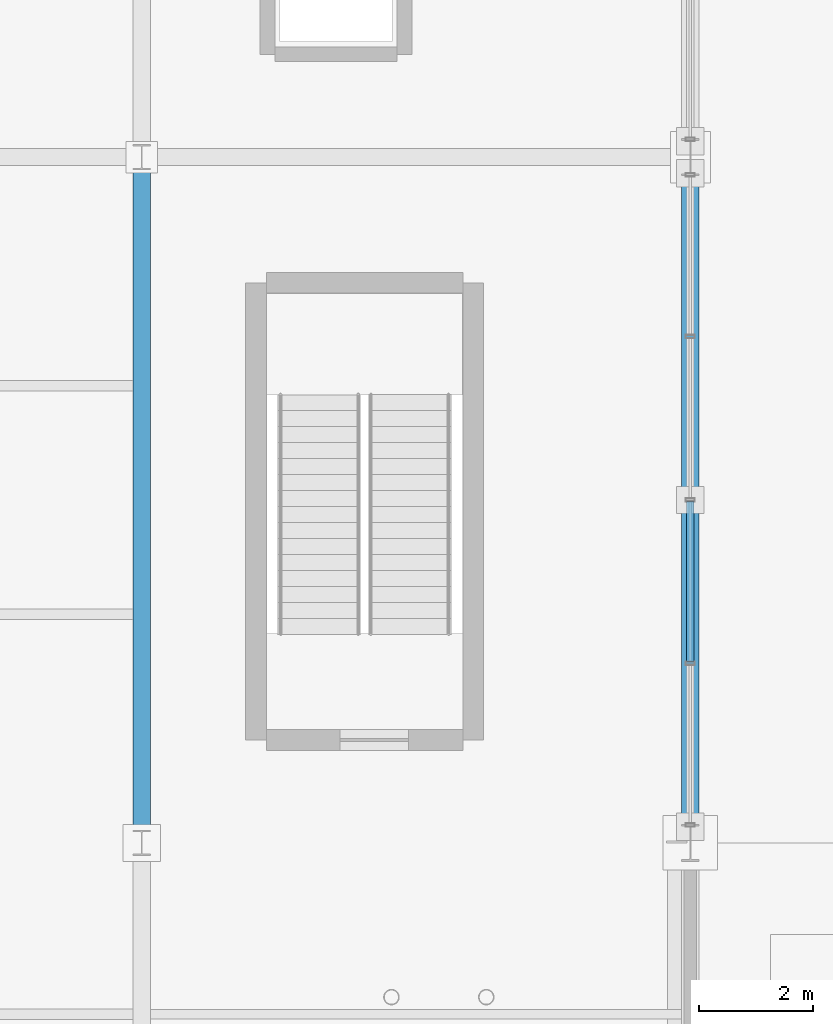
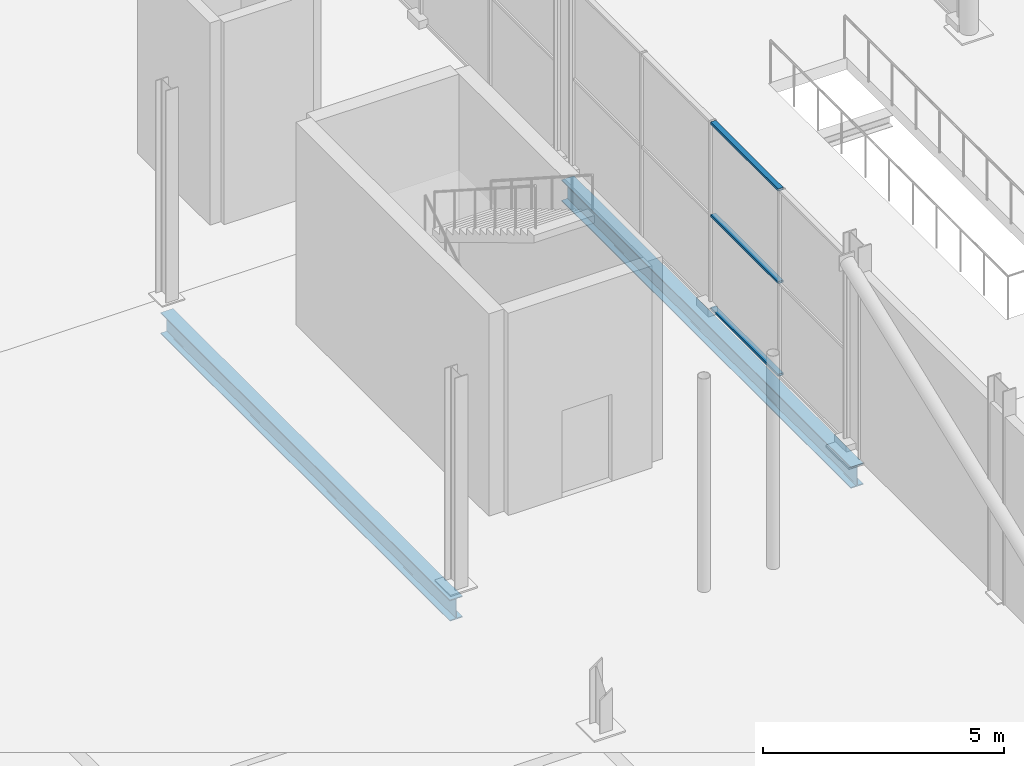
# One storey, part 57 of 196: 3 members, 2 beams, 1 element without a shape of its own.
"""IFC4 building model written with IfcOpenShell, lengths in metres."""

from ifc_helpers import new_model, si_unit, direction, frame, origin, origin_2d, place, context, subcontext, project, spatial, hollow_rectangle, i_section, extrude, material, material_profile, profile_set, type_object, element, aggregate, save


model = new_model("IFC4")

# Units and contexts
model_context = context("Model", 3, precision=1e-05, world=origin(), true_north=direction((0.0, 1.0)))
body_context = subcontext(model_context, "Body", "Model", "MODEL_VIEW")
ifc_project = project(units=[si_unit("LENGTHUNIT", "METRE"), si_unit("AREAUNIT", "SQUARE_METRE"), si_unit("VOLUMEUNIT", "CUBIC_METRE"), si_unit("PLANEANGLEUNIT", "RADIAN"), si_unit("MASSUNIT", "GRAM", prefix="KILO")], contexts=[model_context])

# Site, building, storey
site_placement = place(None, origin())
site = spatial("IfcSite", under=ifc_project, at=site_placement, CompositionType="ELEMENT")
building_placement = place(site_placement, origin())
building = spatial("IfcBuilding", under=site, at=building_placement, Name="Merenkruunu Market Hall", CompositionType="ELEMENT")
storey_placement = place(building_placement, origin())
storey = spatial("IfcBuildingStorey", under=building, at=storey_placement, Name="L00", CompositionType="ELEMENT", Elevation=0.0)

# Curtain wall, members
ifc_material_1 = material(Name="Powder-coated aluminium", Category="aluminium")
curtain_wall_type = type_object("IfcCurtainWallType", Name="Glazed Curtain Wall CW02", PredefinedType="USERDEFINED", material=ifc_material_1)
curtain_wall_placement = place(storey_placement, origin())
curtain_wall = element("IfcCurtainWall", 1, at=curtain_wall_placement, inside=storey, type_object=curtain_wall_type, Name="CW-L00-CWM01-127", ObjectType="GLAZED_FACADE", PredefinedType="USERDEFINED")
ifc_material_profile_1 = material_profile(ifc_material_1, hollow_rectangle(XDim=0.06005859375, YDim=0.125, WallThickness=0.00390625, at=origin_2d()), Name="ALU 60x125x4")
ifc_profile_set_1 = profile_set([ifc_material_profile_1], Name="Powder-coated aluminium")
member_type = type_object("IfcMemberType", Name="Curtain Wall Transom CWT01", PredefinedType="USERDEFINED", material=ifc_profile_set_1)
member_1_placement = place(storey_placement, frame((57.60009765625, 54.77001953125, 0.030029296875), z_axis=(0.0, 1.0, 0.0), x_axis=(0.0, 0.0, 1.0)))
member_1 = element("IfcMember", 2, at=member_1_placement, type_object=member_type, Name="CW02 transom 2.1", ObjectType="TRANSOM", PredefinedType="USERDEFINED", context=body_context, shape_type="SweptSolid", body=[
    extrude(hollow_rectangle(XDim=0.06005859375, YDim=0.125, WallThickness=0.00390625, at=origin_2d()), origin(), (0.0, 0.0, 1.0), 2.800048828125),
])
member_2_placement = place(storey_placement, frame((57.60009765625, 54.77001953125, 2.375), z_axis=(0.0, 1.0, 0.0), x_axis=(0.0, 0.0, 1.0)))
member_2 = element("IfcMember", 3, at=member_2_placement, type_object=member_type, Name="CW02 transom 2.2", ObjectType="TRANSOM", PredefinedType="USERDEFINED", context=body_context, shape_type="SweptSolid", body=[
    extrude(hollow_rectangle(XDim=0.06005859375, YDim=0.125, WallThickness=0.00390625, at=origin_2d()), origin(), (0.0, 0.0, 1.0), 2.800048828125),
])
member_3_placement = place(storey_placement, frame((57.60009765625, 54.77001953125, 4.719970703125), z_axis=(0.0, 1.0, 0.0), x_axis=(0.0, 0.0, 1.0)))
member_3 = element("IfcMember", 4, at=member_3_placement, type_object=member_type, Name="CW02 transom 2.3", ObjectType="TRANSOM", PredefinedType="USERDEFINED", context=body_context, shape_type="SweptSolid", body=[
    extrude(hollow_rectangle(XDim=0.06005859375, YDim=0.125, WallThickness=0.00390625, at=origin_2d()), origin(), (0.0, 0.0, 1.0), 2.800048828125),
])
aggregate(curtain_wall, [member_1, member_2, member_3])

# Beams
ifc_material_2 = material(Name="Steel S355J2", Category="steel")
ifc_material_profile_2 = material_profile(ifc_material_2, i_section(OverallWidth=0.300048828125, OverallDepth=0.5400390625, WebThickness=0.012451171875, FlangeThickness=0.02392578125, FilletRadius=0.027099609375, at=origin_2d()), Name="HEA 550")
ifc_profile_set_2 = profile_set([ifc_material_profile_2], Name="Steel S355J2")
beam_type = type_object("IfcBeamType", Name="Primary Floor Girder B06", PredefinedType="BEAM", material=ifc_profile_set_2)
for number, where, z_axis, x_axis, name in (
    (5, (48.0, 51.60009765625, -0.610107421875), (0.0, 1.0, 0.0), (-1.0, 0.0, 0.0), "BM-L00-B06-0180"),
    (6, (57.60009765625, 51.60009765625, -0.610107421875), (0.0, 1.0, 0.0), (-1.0, 0.0, 0.0), "BM-L00-B06-0189"),
):
    element("IfcBeam", number, at=place(storey_placement, frame(where, z_axis=z_axis, x_axis=x_axis)), inside=storey, type_object=beam_type, Name=name, PredefinedType="BEAM", context=body_context, shape_type="SweptSolid", body=[
        extrude(i_section(OverallWidth=0.300048828125, OverallDepth=0.5400390625, WebThickness=0.012451171875, FlangeThickness=0.02392578125, FilletRadius=0.027099609375, at=origin_2d()), origin(), (0.0, 0.0, 1.0), 12.0),
    ])

save(model, "model.ifc")
